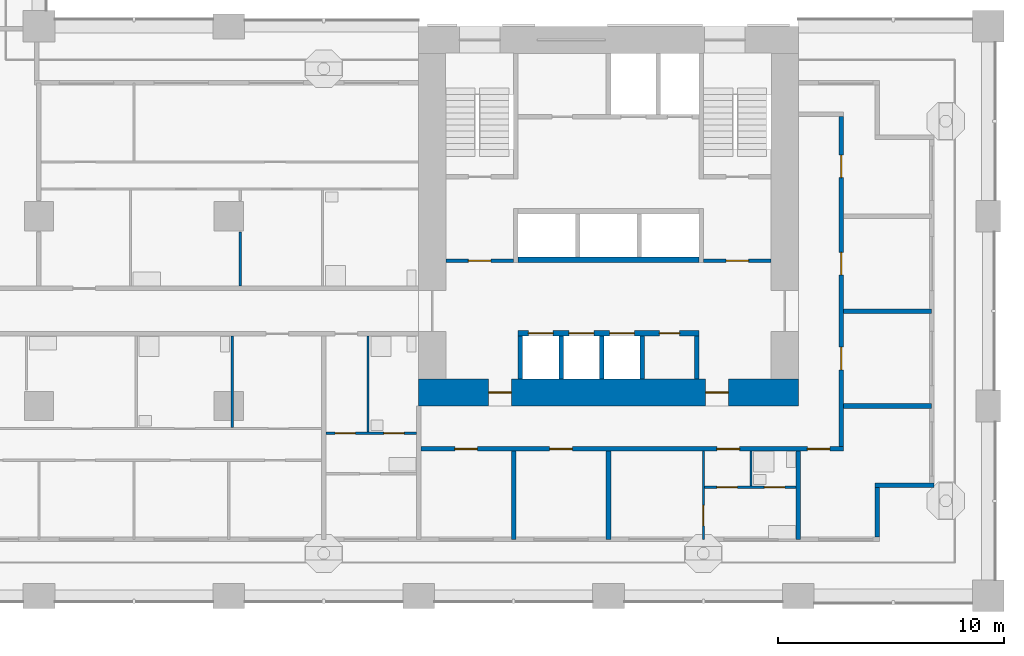
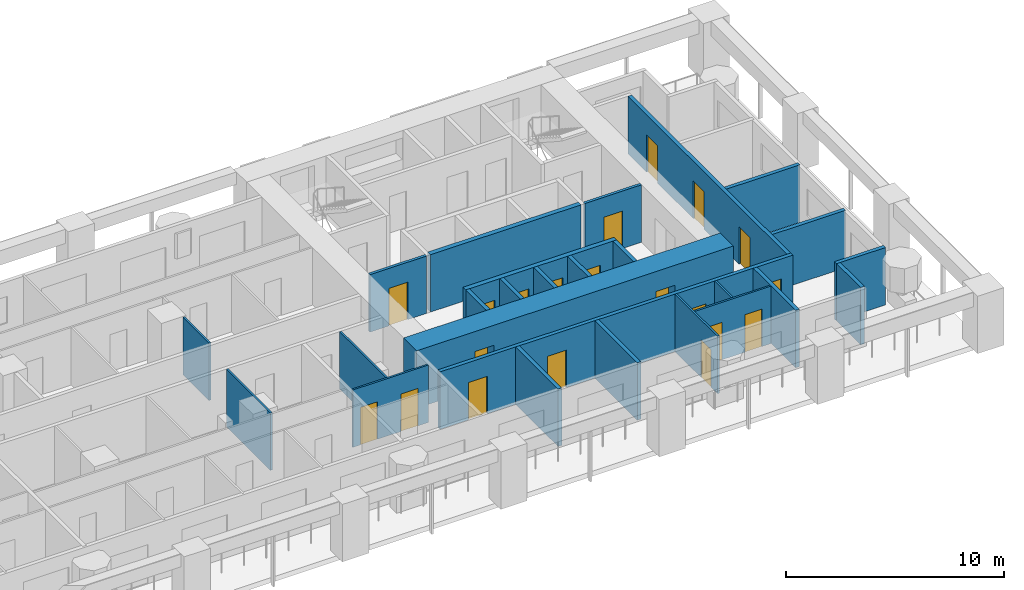
# One storey, part 5 of 19: 26 walls, 20 doors, 20 openings.
"""IFC4 building model written with IfcOpenShell, lengths in metres."""

from ifc_helpers import new_model, si_unit, direction, frame, frame_2d, origin, place, context, subcontext, project, spatial, rectangle, extrude, material, layer, layer_set, type_object, element, fill, save


model = new_model("IFC4")

# Units and contexts
model_context = context("Model", 3, precision=1e-05, world=origin(), true_north=direction((0.0, 1.0)))
body_context = subcontext(model_context, "Body", "Model", "MODEL_VIEW")
ifc_project = project(units=[si_unit("LENGTHUNIT", "METRE"), si_unit("AREAUNIT", "SQUARE_METRE"), si_unit("VOLUMEUNIT", "CUBIC_METRE"), si_unit("PLANEANGLEUNIT", "RADIAN"), si_unit("MASSUNIT", "GRAM", prefix="KILO")], contexts=[model_context])

# Site, building, storey
site_placement = place(None, origin())
site = spatial("IfcSite", under=ifc_project, at=site_placement, CompositionType="ELEMENT")
building_placement = place(site_placement, origin())
building = spatial("IfcBuilding", under=site, at=building_placement, Name="Vermilion Gate Residences", CompositionType="ELEMENT")
storey_placement = place(building_placement, frame((0.0, 0.0, 32.199951171875)))
storey = spatial("IfcBuildingStorey", under=building, at=storey_placement, Name="L06", CompositionType="ELEMENT", Elevation=32.199951171875)

# Wall, opening, door
ifc_material_1 = material(Name="Masonry blockwork", Category="masonry")
ifc_layer_1 = layer(ifc_material_1, 0.14990234375)
ifc_layer_set_1 = layer_set([ifc_layer_1], Name="BLOCKWORK PARTITION 150 EI 120")
wall_type_1 = type_object("IfcWallType", Name="BLOCKWORK PARTITION 150 EI 120", PredefinedType="PARTITIONING", material=ifc_layer_set_1)
wall_1_placement = place(storey_placement, frame((43.199951171875, 14.824951171875, 0.0), z_axis=(0.0, 0.0, 1.0), x_axis=(1.0, 0.0, 0.0)))
wall_1 = element("IfcWall", 1, at=wall_1_placement, inside=storey, type_object=wall_type_1, Name="Core room partition A06-VW-S", PredefinedType="PARTITIONING", context=body_context, shape_type="SweptSolid", body=[
    extrude(rectangle(XDim=3.0, YDim=0.14990234375, at=frame_2d((1.5, 0.0))), origin(), (0.0, 0.0, 1.0), 3.219970703125),
])
opening_1_placement = place(wall_1_placement, frame((1.0, 0.0, 0.0)))
opening_1 = element("IfcOpeningElement", 2, at=opening_1_placement, cuts=wall_1, Name="Opening DK06012", PredefinedType="OPENING", context=body_context, shape_type="SweptSolid", body=[
    extrude(rectangle(XDim=1.0, YDim=2.10009765625, at=frame_2d((0.5, 1.050048828125))), frame((0.0, 0.0849609375, 0.0), z_axis=(0.0, -1.0, 0.0), x_axis=(1.0, 0.0, 0.0)), (0.0, 0.0, 1.0), 0.169921875),
])
ifc_material_2 = material(Name="Steel", Category="steel")
door_type_1 = type_object("IfcDoorType", Name="FIRE DOOR FD60 1000 X 2100", OperationType="SINGLE_SWING_LEFT", PredefinedType="DOOR", material=ifc_material_2)
door_1_placement = place(opening_1_placement, frame((1.0, 0.0, 0.0), z_axis=(0.0, 0.0, 1.0), x_axis=(-1.0, 0.0, 0.0)))
door_1 = element("IfcDoor", 3, at=door_1_placement, inside=storey, type_object=door_type_1, Name="Stair vestibule door A06", OperationType="SINGLE_SWING_RIGHT", OverallHeight=2.10009765625, OverallWidth=1.0, PredefinedType="DOOR", context=body_context, shape_type="SweptSolid", body=[
    extrude(rectangle(XDim=1.0, YDim=2.10009765625, at=frame_2d((0.5, 1.050048828125))), frame((0.0, 0.02490234375, 0.0), z_axis=(0.0, -1.0, 0.0), x_axis=(1.0, 0.0, 0.0)), (0.0, 0.0, 1.0), 0.050048828125),
])
fill(opening_1, door_1)

wall_2_placement = place(storey_placement, frame((54.60009765625, 14.824951171875, 0.0), z_axis=(0.0, 0.0, 1.0), x_axis=(1.0, 0.0, 0.0)))
wall_2 = element("IfcWall", 4, at=wall_2_placement, inside=storey, type_object=wall_type_1, Name="Core room partition A06-VE-S", PredefinedType="PARTITIONING", context=body_context, shape_type="SweptSolid", body=[
    extrude(rectangle(XDim=3.0, YDim=0.14990234375, at=frame_2d((1.5, 0.0))), origin(), (0.0, 0.0, 1.0), 3.219970703125),
])
opening_2_placement = place(wall_2_placement, frame((1.0, 0.0, 0.0)))
opening_2 = element("IfcOpeningElement", 5, at=opening_2_placement, cuts=wall_2, Name="Opening DK06014", PredefinedType="OPENING", context=body_context, shape_type="SweptSolid", body=[
    extrude(rectangle(XDim=1.0, YDim=2.10009765625, at=frame_2d((0.5, 1.050048828125))), frame((0.0, 0.0849609375, 0.0), z_axis=(0.0, -1.0, 0.0), x_axis=(1.0, 0.0, 0.0)), (0.0, 0.0, 1.0), 0.169921875),
])
door_2_placement = place(opening_2_placement, frame((1.0, 0.0, 0.0), z_axis=(0.0, 0.0, 1.0), x_axis=(-1.0, 0.0, 0.0)))
door_2 = element("IfcDoor", 6, at=door_2_placement, inside=storey, type_object=door_type_1, Name="Stair vestibule door A06", OperationType="SINGLE_SWING_LEFT", OverallHeight=2.10009765625, OverallWidth=1.0, PredefinedType="DOOR", context=body_context, shape_type="SweptSolid", body=[
    extrude(rectangle(XDim=1.0, YDim=2.10009765625, at=frame_2d((0.5, 1.050048828125))), frame((0.0, 0.02490234375, 0.0), z_axis=(0.0, -1.0, 0.0), x_axis=(1.0, 0.0, 0.0)), (0.0, 0.0, 1.0), 0.050048828125),
])
fill(opening_2, door_2)

# Walls
ifc_material_3 = material(Name="Insulated steel stud wall with terracotta rainscreen", Category="masonry")
ifc_layer_2 = layer(ifc_material_3, 0.199951171875)
ifc_layer_set_2 = layer_set([ifc_layer_2], Name="EXTERNAL WALL 200 TERRACOTTA RAINSCREEN")
wall_type_2 = type_object("IfcWallType", Name="EXTERNAL WALL 200 TERRACOTTA RAINSCREEN", PredefinedType="SOLIDWALL", material=ifc_layer_set_2)
wall_3_placement = place(storey_placement, frame((62.300048828125, 2.60009765625, 0.0), z_axis=(0.0, 0.0, 1.0), x_axis=(0.0, 1.0, 0.0)))
element("IfcWall", 7, at=wall_3_placement, inside=storey, type_object=wall_type_2, Name="External wall", PredefinedType="SOLIDWALL", context=body_context, shape_type="SweptSolid", body=[
    extrude(rectangle(XDim=2.199951171875, YDim=0.199951171875, at=frame_2d((1.10009765625, 0.0))), origin(), (0.0, 0.0, 1.0), 3.219970703125),
])
wall_4_placement = place(storey_placement, frame((62.199951171875, 4.89990234375, 0.0), z_axis=(0.0, 0.0, 1.0), x_axis=(1.0, 0.0, 0.0)))
element("IfcWall", 8, at=wall_4_placement, inside=storey, type_object=wall_type_2, Name="External wall", PredefinedType="SOLIDWALL", context=body_context, shape_type="SweptSolid", body=[
    extrude(rectangle(XDim=2.60009765625, YDim=0.199951171875, at=frame_2d((1.300048828125, 0.0))), origin(), (0.0, 0.0, 1.0), 3.219970703125),
])

# Wall, openings, doors
ifc_material_4 = material(Name="Plasterboard on steel studs", Category="steel")
ifc_layer_3 = layer(ifc_material_4, 0.10009765625)
ifc_layer_set_3 = layer_set([ifc_layer_3], Name="PARTITION 100")
wall_type_3 = type_object("IfcWallType", Name="PARTITION 100", PredefinedType="PARTITIONING", material=ifc_layer_set_3)
wall_5_placement = place(storey_placement, frame((54.64990234375, 4.800048828125, 0.0), z_axis=(0.0, 0.0, 1.0), x_axis=(1.0, 0.0, 0.0)))
wall_5 = element("IfcWall", 9, at=wall_5_placement, inside=storey, type_object=wall_type_3, Name="Partition", PredefinedType="PARTITIONING", context=body_context, shape_type="SweptSolid", body=[
    extrude(rectangle(XDim=4.050048828125, YDim=0.10009765625, at=frame_2d((2.02490234375, 0.0))), origin(), (0.0, 0.0, 1.0), 3.219970703125),
])
opening_3_placement = place(wall_5_placement, frame((0.550048828125, 0.0, 0.0)))
opening_3 = element("IfcOpeningElement", 10, at=opening_3_placement, cuts=wall_5, Name="Opening DA04001", PredefinedType="OPENING", context=body_context, shape_type="SweptSolid", body=[
    extrude(rectangle(XDim=0.89990234375, YDim=2.10009765625, at=frame_2d((0.449951171875, 1.050048828125))), frame((0.0, 0.06005859375, 0.0), z_axis=(0.0, -1.0, 0.0), x_axis=(1.0, 0.0, 0.0)), (0.0, 0.0, 1.0), 0.1201171875),
])
opening_4_placement = place(wall_5_placement, frame((2.64990234375, 0.0, 0.0)))
opening_4 = element("IfcOpeningElement", 11, at=opening_4_placement, cuts=wall_5, Name="Opening DA04002", PredefinedType="OPENING", context=body_context, shape_type="SweptSolid", body=[
    extrude(rectangle(XDim=0.89990234375, YDim=2.10009765625, at=frame_2d((0.449951171875, 1.050048828125))), frame((0.0, 0.06005859375, 0.0), z_axis=(0.0, -1.0, 0.0), x_axis=(1.0, 0.0, 0.0)), (0.0, 0.0, 1.0), 0.1201171875),
])
ifc_material_5 = material(Name="Timber", Category="wood")
door_type_2 = type_object("IfcDoorType", Name="INTERIOR DOOR 900 X 2100", OperationType="SINGLE_SWING_LEFT", PredefinedType="DOOR", material=ifc_material_5)
door_3_placement = place(opening_3_placement, frame((0.89990234375, 0.0, 0.0), z_axis=(0.0, 0.0, 1.0), x_axis=(-1.0, 0.0, 0.0)))
door_3 = element("IfcDoor", 12, at=door_3_placement, inside=storey, type_object=door_type_2, Name="Interior door", OperationType="SINGLE_SWING_RIGHT", OverallHeight=2.10009765625, OverallWidth=0.89990234375, PredefinedType="DOOR", context=body_context, shape_type="SweptSolid", body=[
    extrude(rectangle(XDim=0.89990234375, YDim=2.10009765625, at=frame_2d((0.449951171875, 1.050048828125))), frame((0.0, 0.02490234375, 0.0), z_axis=(0.0, -1.0, 0.0), x_axis=(1.0, 0.0, 0.0)), (0.0, 0.0, 1.0), 0.050048828125),
])
fill(opening_3, door_3)
door_4_placement = place(opening_4_placement, origin())
door_4 = element("IfcDoor", 13, at=door_4_placement, inside=storey, type_object=door_type_2, Name="Interior door", OperationType="SINGLE_SWING_RIGHT", OverallHeight=2.10009765625, OverallWidth=0.89990234375, PredefinedType="DOOR", context=body_context, shape_type="SweptSolid", body=[
    extrude(rectangle(XDim=0.89990234375, YDim=2.10009765625, at=frame_2d((0.449951171875, 1.050048828125))), frame((0.0, 0.02490234375, 0.0), z_axis=(0.0, -1.0, 0.0), x_axis=(1.0, 0.0, 0.0)), (0.0, 0.0, 1.0), 0.050048828125),
])
fill(opening_4, door_4)

wall_6_placement = place(storey_placement, frame((37.89990234375, 7.199951171875, 0.0), z_axis=(0.0, 0.0, 1.0), x_axis=(1.0, 0.0, 0.0)))
wall_6 = element("IfcWall", 14, at=wall_6_placement, inside=storey, type_object=wall_type_3, Name="Partition", PredefinedType="PARTITIONING", context=body_context, shape_type="SweptSolid", body=[
    extrude(rectangle(XDim=4.0, YDim=0.10009765625, at=frame_2d((2.0, 0.0))), origin(), (0.0, 0.0, 1.0), 3.219970703125),
])
opening_5_placement = place(wall_6_placement, frame((0.39990234375, 0.0, 0.0)))
opening_5 = element("IfcOpeningElement", 15, at=opening_5_placement, cuts=wall_6, Name="Opening DA04013", PredefinedType="OPENING", context=body_context, shape_type="SweptSolid", body=[
    extrude(rectangle(XDim=0.89990234375, YDim=2.10009765625, at=frame_2d((0.449951171875, 1.050048828125))), frame((0.0, 0.06005859375, 0.0), z_axis=(0.0, -1.0, 0.0), x_axis=(1.0, 0.0, 0.0)), (0.0, 0.0, 1.0), 0.1201171875),
])
opening_6_placement = place(wall_6_placement, frame((2.56005859375, 0.0, 0.0)))
opening_6 = element("IfcOpeningElement", 16, at=opening_6_placement, cuts=wall_6, Name="Opening DA04014", PredefinedType="OPENING", context=body_context, shape_type="SweptSolid", body=[
    extrude(rectangle(XDim=0.89990234375, YDim=2.10009765625, at=frame_2d((0.449951171875, 1.050048828125))), frame((0.0, 0.06005859375, 0.0), z_axis=(0.0, -1.0, 0.0), x_axis=(1.0, 0.0, 0.0)), (0.0, 0.0, 1.0), 0.1201171875),
])
door_5_placement = place(opening_5_placement, frame((0.89990234375, 0.0, 0.0), z_axis=(0.0, 0.0, 1.0), x_axis=(-1.0, 0.0, 0.0)))
door_5 = element("IfcDoor", 17, at=door_5_placement, inside=storey, type_object=door_type_2, Name="Interior door", OperationType="SINGLE_SWING_RIGHT", OverallHeight=2.10009765625, OverallWidth=0.89990234375, PredefinedType="DOOR", context=body_context, shape_type="SweptSolid", body=[
    extrude(rectangle(XDim=0.89990234375, YDim=2.10009765625, at=frame_2d((0.449951171875, 1.050048828125))), frame((0.0, 0.02490234375, 0.0), z_axis=(0.0, -1.0, 0.0), x_axis=(1.0, 0.0, 0.0)), (0.0, 0.0, 1.0), 0.050048828125),
])
fill(opening_5, door_5)
door_6_placement = place(opening_6_placement, frame((0.89990234375, 0.0, 0.0), z_axis=(0.0, 0.0, 1.0), x_axis=(-1.0, 0.0, 0.0)))
door_6 = element("IfcDoor", 18, at=door_6_placement, inside=storey, type_object=door_type_2, Name="Interior door", OperationType="SINGLE_SWING_LEFT", OverallHeight=2.10009765625, OverallWidth=0.89990234375, PredefinedType="DOOR", context=body_context, shape_type="SweptSolid", body=[
    extrude(rectangle(XDim=0.89990234375, YDim=2.10009765625, at=frame_2d((0.449951171875, 1.050048828125))), frame((0.0, 0.02490234375, 0.0), z_axis=(0.0, -1.0, 0.0), x_axis=(1.0, 0.0, 0.0)), (0.0, 0.0, 1.0), 0.050048828125),
])
fill(opening_6, door_6)

# Walls
wall_7_placement = place(storey_placement, frame((33.75, 7.449951171875, 0.0), z_axis=(0.0, 0.0, 1.0), x_axis=(0.0, 1.0, 0.0)))
element("IfcWall", 19, at=wall_7_placement, inside=storey, type_object=wall_type_3, Name="Partition", PredefinedType="PARTITIONING", context=body_context, shape_type="SweptSolid", body=[
    extrude(rectangle(XDim=4.050048828125, YDim=0.10009765625, at=frame_2d((2.02490234375, 0.0))), origin(), (0.0, 0.0, 1.0), 3.219970703125),
])
wall_8_placement = place(storey_placement, frame((34.10009765625, 13.699951171875, 0.0), z_axis=(0.0, 0.0, 1.0), x_axis=(0.0, 1.0, 0.0)))
element("IfcWall", 20, at=wall_8_placement, inside=storey, type_object=wall_type_3, Name="Partition", PredefinedType="PARTITIONING", context=body_context, shape_type="SweptSolid", body=[
    extrude(rectangle(XDim=2.400146484375, YDim=0.10009765625, at=frame_2d((1.2001953125, 0.0))), origin(), (0.0, 0.0, 1.0), 3.219970703125),
])
wall_9_placement = place(storey_placement, frame((39.760009765625, 7.25, 0.0), z_axis=(0.0, 0.0, 1.0), x_axis=(0.0, 1.0, 0.0)))
element("IfcWall", 21, at=wall_9_placement, inside=storey, type_object=wall_type_3, Name="Partition", PredefinedType="PARTITIONING", context=body_context, shape_type="SweptSolid", body=[
    extrude(rectangle(XDim=4.25, YDim=0.10009765625, at=frame_2d((2.125, 0.0))), origin(), (0.0, 0.0, 1.0), 3.219970703125),
])

# Wall, opening, door
wall_10_placement = place(storey_placement, frame((54.60009765625, 2.5, 0.0), z_axis=(0.0, 0.0, 1.0), x_axis=(0.0, 1.0, 0.0)))
wall_10 = element("IfcWall", 22, at=wall_10_placement, inside=storey, type_object=wall_type_3, Name="Partition", PredefinedType="PARTITIONING", context=body_context, shape_type="SweptSolid", body=[
    extrude(rectangle(XDim=3.89990234375, YDim=0.10009765625, at=frame_2d((1.949951171875, 0.0))), origin(), (0.0, 0.0, 1.0), 3.219970703125),
])
opening_7_placement = place(wall_10_placement, frame((0.60009765625, 0.0, 0.0)))
opening_7 = element("IfcOpeningElement", 23, at=opening_7_placement, cuts=wall_10, Name="Opening DA04065", PredefinedType="OPENING", context=body_context, shape_type="SweptSolid", body=[
    extrude(rectangle(XDim=0.89990234375, YDim=2.10009765625, at=frame_2d((0.449951171875, 1.050048828125))), frame((0.0, 0.06005859375, 0.0), z_axis=(0.0, -1.0, 0.0), x_axis=(1.0, 0.0, 0.0)), (0.0, 0.0, 1.0), 0.1201171875),
])
door_7_placement = place(opening_7_placement, frame((0.89990234375, 0.0, 0.0), z_axis=(0.0, 0.0, 1.0), x_axis=(-1.0, 0.0, 0.0)))
door_7 = element("IfcDoor", 24, at=door_7_placement, inside=storey, type_object=door_type_2, Name="Interior door", OperationType="SINGLE_SWING_RIGHT", OverallHeight=2.10009765625, OverallWidth=0.89990234375, PredefinedType="DOOR", context=body_context, shape_type="SweptSolid", body=[
    extrude(rectangle(XDim=0.89990234375, YDim=2.10009765625, at=frame_2d((0.449951171875, 1.050048828125))), frame((0.0, 0.02490234375, 0.0), z_axis=(0.0, -1.0, 0.0), x_axis=(1.0, 0.0, 0.0)), (0.0, 0.0, 1.0), 0.050048828125),
])
fill(opening_7, door_7)

# Wall
wall_11_placement = place(storey_placement, frame((56.699951171875, 4.85009765625, 0.0), z_axis=(0.0, 0.0, 1.0), x_axis=(0.0, 1.0, 0.0)))
element("IfcWall", 25, at=wall_11_placement, inside=storey, type_object=wall_type_3, Name="Partition", PredefinedType="PARTITIONING", context=body_context, shape_type="SweptSolid", body=[
    extrude(rectangle(XDim=1.5498046875, YDim=0.10009765625, at=frame_2d((0.77490234375, 0.0))), origin(), (0.0, 0.0, 1.0), 3.219970703125),
])

# Wall, openings, doors
ifc_material_6 = material(Name="Fire-rated plasterboard on steel studs", Category="steel")
ifc_layer_4 = layer(ifc_material_6, 0.199951171875)
ifc_layer_set_4 = layer_set([ifc_layer_4], Name="PARTY WALL 200 EI 120")
wall_type_4 = type_object("IfcWallType", Name="PARTY WALL 200 EI 120", PredefinedType="PARTITIONING", material=ifc_layer_set_4)
wall_12_placement = place(storey_placement, frame((42.10009765625, 6.5, 0.0), z_axis=(0.0, 0.0, 1.0), x_axis=(1.0, 0.0, 0.0)))
wall_12 = element("IfcWall", 26, at=wall_12_placement, inside=storey, type_object=wall_type_4, Name="Party and corridor wall", PredefinedType="PARTITIONING", context=body_context, shape_type="SweptSolid", body=[
    extrude(rectangle(XDim=18.699951171875, YDim=0.199951171875, at=frame_2d((9.35009765625, 0.0))), origin(), (0.0, 0.0, 1.0), 3.219970703125),
])
opening_8_placement = place(wall_12_placement, frame((1.5, 0.0, 0.0)))
opening_8 = element("IfcOpeningElement", 27, at=opening_8_placement, cuts=wall_12, Name="Opening DA04009", PredefinedType="OPENING", context=body_context, shape_type="SweptSolid", body=[
    extrude(rectangle(XDim=1.0, YDim=2.10009765625, at=frame_2d((0.5, 1.050048828125))), frame((0.0, 0.10986328125, 0.0), z_axis=(0.0, -1.0, 0.0), x_axis=(1.0, 0.0, 0.0)), (0.0, 0.0, 1.0), 0.219970703125),
])
opening_9_placement = place(wall_12_placement, frame((5.699951171875, 0.0, 0.0)))
opening_9 = element("IfcOpeningElement", 28, at=opening_9_placement, cuts=wall_12, Name="Opening DA04010", PredefinedType="OPENING", context=body_context, shape_type="SweptSolid", body=[
    extrude(rectangle(XDim=1.0, YDim=2.10009765625, at=frame_2d((0.5, 1.050048828125))), frame((0.0, 0.10986328125, 0.0), z_axis=(0.0, -1.0, 0.0), x_axis=(1.0, 0.0, 0.0)), (0.0, 0.0, 1.0), 0.219970703125),
])
opening_10_placement = place(wall_12_placement, frame((13.10009765625, 0.0, 0.0)))
opening_10 = element("IfcOpeningElement", 29, at=opening_10_placement, cuts=wall_12, Name="Opening DA04011", PredefinedType="OPENING", context=body_context, shape_type="SweptSolid", body=[
    extrude(rectangle(XDim=1.0, YDim=2.10009765625, at=frame_2d((0.5, 1.050048828125))), frame((0.0, 0.10986328125, 0.0), z_axis=(0.0, -1.0, 0.0), x_axis=(1.0, 0.0, 0.0)), (0.0, 0.0, 1.0), 0.219970703125),
])
opening_11_placement = place(wall_12_placement, frame((17.10009765625, 0.0, 0.0)))
opening_11 = element("IfcOpeningElement", 30, at=opening_11_placement, cuts=wall_12, Name="Opening DA04012", PredefinedType="OPENING", context=body_context, shape_type="SweptSolid", body=[
    extrude(rectangle(XDim=1.0, YDim=2.10009765625, at=frame_2d((0.5, 1.050048828125))), frame((0.0, 0.10986328125, 0.0), z_axis=(0.0, -1.0, 0.0), x_axis=(1.0, 0.0, 0.0)), (0.0, 0.0, 1.0), 0.219970703125),
])
ifc_material_7 = material(Name="Steel", Category="steel")
door_type_3 = type_object("IfcDoorType", Name="ENTRANCE DOOR 1000 X 2100 FD30", OperationType="SINGLE_SWING_LEFT", PredefinedType="DOOR", material=ifc_material_7)
door_8_placement = place(opening_8_placement, frame((1.0, 0.0, 0.0), z_axis=(0.0, 0.0, 1.0), x_axis=(-1.0, 0.0, 0.0)))
door_8 = element("IfcDoor", 31, at=door_8_placement, inside=storey, type_object=door_type_3, Name="Entrance door", OperationType="SINGLE_SWING_RIGHT", OverallHeight=2.10009765625, OverallWidth=1.0, PredefinedType="DOOR", context=body_context, shape_type="SweptSolid", body=[
    extrude(rectangle(XDim=1.0, YDim=2.10009765625, at=frame_2d((0.5, 1.050048828125))), frame((0.0, 0.02490234375, 0.0), z_axis=(0.0, -1.0, 0.0), x_axis=(1.0, 0.0, 0.0)), (0.0, 0.0, 1.0), 0.050048828125),
])
fill(opening_8, door_8)
door_9_placement = place(opening_9_placement, frame((1.0, 0.0, 0.0), z_axis=(0.0, 0.0, 1.0), x_axis=(-1.0, 0.0, 0.0)))
door_9 = element("IfcDoor", 32, at=door_9_placement, inside=storey, type_object=door_type_3, Name="Entrance door", OperationType="SINGLE_SWING_LEFT", OverallHeight=2.10009765625, OverallWidth=1.0, PredefinedType="DOOR", context=body_context, shape_type="SweptSolid", body=[
    extrude(rectangle(XDim=1.0, YDim=2.10009765625, at=frame_2d((0.5, 1.050048828125))), frame((0.0, 0.02490234375, 0.0), z_axis=(0.0, -1.0, 0.0), x_axis=(1.0, 0.0, 0.0)), (0.0, 0.0, 1.0), 0.050048828125),
])
fill(opening_9, door_9)
door_10_placement = place(opening_10_placement, frame((1.0, 0.0, 0.0), z_axis=(0.0, 0.0, 1.0), x_axis=(-1.0, 0.0, 0.0)))
door_10 = element("IfcDoor", 33, at=door_10_placement, inside=storey, type_object=door_type_3, Name="Entrance door", OperationType="SINGLE_SWING_LEFT", OverallHeight=2.10009765625, OverallWidth=1.0, PredefinedType="DOOR", context=body_context, shape_type="SweptSolid", body=[
    extrude(rectangle(XDim=1.0, YDim=2.10009765625, at=frame_2d((0.5, 1.050048828125))), frame((0.0, 0.02490234375, 0.0), z_axis=(0.0, -1.0, 0.0), x_axis=(1.0, 0.0, 0.0)), (0.0, 0.0, 1.0), 0.050048828125),
])
fill(opening_10, door_10)
door_11_placement = place(opening_11_placement, frame((1.0, 0.0, 0.0), z_axis=(0.0, 0.0, 1.0), x_axis=(-1.0, 0.0, 0.0)))
door_11 = element("IfcDoor", 34, at=door_11_placement, inside=storey, type_object=door_type_3, Name="Entrance door", OperationType="SINGLE_SWING_RIGHT", OverallHeight=2.10009765625, OverallWidth=1.0, PredefinedType="DOOR", context=body_context, shape_type="SweptSolid", body=[
    extrude(rectangle(XDim=1.0, YDim=2.10009765625, at=frame_2d((0.5, 1.050048828125))), frame((0.0, 0.02490234375, 0.0), z_axis=(0.0, -1.0, 0.0), x_axis=(1.0, 0.0, 0.0)), (0.0, 0.0, 1.0), 0.050048828125),
])
fill(opening_11, door_11)

# Walls
for number, where, z_axis, x_axis, name in (
    (35, (60.800048828125, 8.39990234375, 0.0), (0.0, 0.0, 1.0), (1.0, 0.0, 0.0), "Party and corridor wall"),
    (36, (60.800048828125, 12.60009765625, 0.0), (0.0, 0.0, 1.0), (1.0, 0.0, 0.0), "Party and corridor wall"),
    (37, (46.199951171875, 2.5, 0.0), (0.0, 0.0, 1.0), (0.0, 1.0, 0.0), "Party and corridor wall"),
    (38, (50.39990234375, 2.5, 0.0), (0.0, 0.0, 1.0), (0.0, 1.0, 0.0), "Party and corridor wall"),
    (39, (58.800048828125, 2.5, 0.0), (0.0, 0.0, 1.0), (0.0, 1.0, 0.0), "Party and corridor wall"),
):
    element("IfcWall", number, at=place(storey_placement, frame(where, z_axis=z_axis, x_axis=x_axis)), inside=storey, type_object=wall_type_4, Name=name, PredefinedType="PARTITIONING", context=body_context, shape_type="SweptSolid", body=[
        extrude(rectangle(XDim=3.89990234375, YDim=0.199951171875, at=frame_2d((1.949951171875, 0.0))), origin(), (0.0, 0.0, 1.0), 3.219970703125),
    ])

# Wall, openings, doors
wall_13_placement = place(storey_placement, frame((60.699951171875, 6.60009765625, 0.0), z_axis=(0.0, 0.0, 1.0), x_axis=(0.0, 1.0, 0.0)))
wall_13 = element("IfcWall", 40, at=wall_13_placement, inside=storey, type_object=wall_type_4, Name="Party and corridor wall", PredefinedType="PARTITIONING", context=body_context, shape_type="SweptSolid", body=[
    extrude(rectangle(XDim=14.599853515625, YDim=0.199951171875, at=frame_2d((7.2998046875, 0.0))), origin(), (0.0, 0.0, 1.0), 3.219970703125),
])
opening_12_placement = place(wall_13_placement, frame((3.39990234375, 0.0, 0.0)))
opening_12 = element("IfcOpeningElement", 41, at=opening_12_placement, cuts=wall_13, Name="Opening DA04066", PredefinedType="OPENING", context=body_context, shape_type="SweptSolid", body=[
    extrude(rectangle(XDim=1.0, YDim=2.10009765625, at=frame_2d((0.5, 1.050048828125))), frame((0.0, 0.10986328125, 0.0), z_axis=(0.0, -1.0, 0.0), x_axis=(1.0, 0.0, 0.0)), (0.0, 0.0, 1.0), 0.219970703125),
])
opening_13_placement = place(wall_13_placement, frame((7.60009765625, 0.0, 0.0)))
opening_13 = element("IfcOpeningElement", 42, at=opening_13_placement, cuts=wall_13, Name="Opening DA04067", PredefinedType="OPENING", context=body_context, shape_type="SweptSolid", body=[
    extrude(rectangle(XDim=1.0, YDim=2.10009765625, at=frame_2d((0.5, 1.050048828125))), frame((0.0, 0.10986328125, 0.0), z_axis=(0.0, -1.0, 0.0), x_axis=(1.0, 0.0, 0.0)), (0.0, 0.0, 1.0), 0.219970703125),
])
opening_14_placement = place(wall_13_placement, frame((11.89990234375, 0.0, 0.0)))
opening_14 = element("IfcOpeningElement", 43, at=opening_14_placement, cuts=wall_13, Name="Opening DA04068", PredefinedType="OPENING", context=body_context, shape_type="SweptSolid", body=[
    extrude(rectangle(XDim=1.0, YDim=2.10009765625, at=frame_2d((0.5, 1.050048828125))), frame((0.0, 0.10986328125, 0.0), z_axis=(0.0, -1.0, 0.0), x_axis=(1.0, 0.0, 0.0)), (0.0, 0.0, 1.0), 0.219970703125),
])
door_12_placement = place(opening_12_placement, frame((1.0, 0.0, 0.0), z_axis=(0.0, 0.0, 1.0), x_axis=(-1.0, 0.0, 0.0)))
door_12 = element("IfcDoor", 44, at=door_12_placement, inside=storey, type_object=door_type_3, Name="Entrance door", OperationType="SINGLE_SWING_RIGHT", OverallHeight=2.10009765625, OverallWidth=1.0, PredefinedType="DOOR", context=body_context, shape_type="SweptSolid", body=[
    extrude(rectangle(XDim=1.0, YDim=2.10009765625, at=frame_2d((0.5, 1.050048828125))), frame((0.0, 0.02490234375, 0.0), z_axis=(0.0, -1.0, 0.0), x_axis=(1.0, 0.0, 0.0)), (0.0, 0.0, 1.0), 0.050048828125),
])
fill(opening_12, door_12)
door_13_placement = place(opening_13_placement, frame((1.0, 0.0, 0.0), z_axis=(0.0, 0.0, 1.0), x_axis=(-1.0, 0.0, 0.0)))
door_13 = element("IfcDoor", 45, at=door_13_placement, inside=storey, type_object=door_type_3, Name="Entrance door", OperationType="SINGLE_SWING_RIGHT", OverallHeight=2.10009765625, OverallWidth=1.0, PredefinedType="DOOR", context=body_context, shape_type="SweptSolid", body=[
    extrude(rectangle(XDim=1.0, YDim=2.10009765625, at=frame_2d((0.5, 1.050048828125))), frame((0.0, 0.02490234375, 0.0), z_axis=(0.0, -1.0, 0.0), x_axis=(1.0, 0.0, 0.0)), (0.0, 0.0, 1.0), 0.050048828125),
])
fill(opening_13, door_13)
door_14_placement = place(opening_14_placement, frame((1.0, 0.0, 0.0), z_axis=(0.0, 0.0, 1.0), x_axis=(-1.0, 0.0, 0.0)))
door_14 = element("IfcDoor", 46, at=door_14_placement, inside=storey, type_object=door_type_3, Name="Entrance door", OperationType="SINGLE_SWING_RIGHT", OverallHeight=2.10009765625, OverallWidth=1.0, PredefinedType="DOOR", context=body_context, shape_type="SweptSolid", body=[
    extrude(rectangle(XDim=1.0, YDim=2.10009765625, at=frame_2d((0.5, 1.050048828125))), frame((0.0, 0.02490234375, 0.0), z_axis=(0.0, -1.0, 0.0), x_axis=(1.0, 0.0, 0.0)), (0.0, 0.0, 1.0), 0.050048828125),
])
fill(opening_14, door_14)

# Walls
ifc_material_8 = material(Name="Concrete C60", Category="concrete")
ifc_layer_5 = layer(ifc_material_8, 0.199951171875)
ifc_layer_set_5 = layer_set([ifc_layer_5], Name="RC CORE INTERNAL WALL 200 C60")
wall_type_5 = type_object("IfcWallType", Name="RC CORE INTERNAL WALL 200 C60", PredefinedType="SHEAR", material=ifc_layer_set_5)
for number, where, z_axis, x_axis, name in (
    (47, (46.5, 9.60009765625, 0.0), (0.0, 0.0, 1.0), (0.0, 1.0, 0.0), "Core internal wall A06-LR-D0"),
    (48, (48.300048828125, 9.60009765625, 0.0), (0.0, 0.0, 1.0), (0.0, 1.0, 0.0), "Core internal wall A06-LR-D1"),
    (49, (50.10009765625, 9.60009765625, 0.0), (0.0, 0.0, 1.0), (0.0, 1.0, 0.0), "Core internal wall A06-LR-D2"),
    (50, (51.89990234375, 9.60009765625, 0.0), (0.0, 0.0, 1.0), (0.0, 1.0, 0.0), "Core internal wall A06-LR-D3"),
    (51, (54.300048828125, 9.60009765625, 0.0), (0.0, 0.0, 1.0), (0.0, 1.0, 0.0), "Core internal wall A06-LR-DE"),
):
    element("IfcWall", number, at=place(storey_placement, frame(where, z_axis=z_axis, x_axis=x_axis)), inside=storey, type_object=wall_type_5, Name=name, PredefinedType="SHEAR", context=body_context, shape_type="SweptSolid", body=[
        extrude(rectangle(XDim=1.89990234375, YDim=0.199951171875, at=frame_2d((0.949951171875, 0.0))), origin(), (0.0, 0.0, 1.0), 3.219970703125),
    ])

# Wall, openings, doors
ifc_material_9 = material(Name="Concrete C80", Category="concrete")
ifc_layer_6 = layer(ifc_material_9, 1.199951171875)
ifc_layer_set_6 = layer_set([ifc_layer_6], Name="RC CORE WALL 1200 C80")
wall_type_6 = type_object("IfcWallType", Name="RC CORE WALL 1200 C80", PredefinedType="SHEAR", material=ifc_layer_set_6)
wall_14_placement = place(storey_placement, frame((42.0, 9.0, 0.0), z_axis=(0.0, 0.0, 1.0), x_axis=(1.0, 0.0, 0.0)))
wall_14 = element("IfcWall", 52, at=wall_14_placement, inside=storey, type_object=wall_type_6, Name="Core wall A06-OUT-B0", PredefinedType="SHEAR", context=body_context, shape_type="SweptSolid", body=[
    extrude(rectangle(XDim=16.800048828125, YDim=1.199951171875, at=frame_2d((8.39990234375, 0.0))), origin(), (0.0, 0.0, 1.0), 3.219970703125),
])
opening_15_placement = place(wall_14_placement, frame((3.10009765625, 0.0, 0.0)))
opening_15 = element("IfcOpeningElement", 53, at=opening_15_placement, cuts=wall_14, Name="Opening DK06001", PredefinedType="OPENING", context=body_context, shape_type="SweptSolid", body=[
    extrude(rectangle(XDim=1.0, YDim=2.10009765625, at=frame_2d((0.5, 1.050048828125))), frame((0.0, 0.60986328125, 0.0), z_axis=(0.0, -1.0, 0.0), x_axis=(1.0, 0.0, 0.0)), (0.0, 0.0, 1.0), 1.219970703125),
])
opening_16_placement = place(wall_14_placement, frame((12.699951171875, 0.0, 0.0)))
opening_16 = element("IfcOpeningElement", 54, at=opening_16_placement, cuts=wall_14, Name="Opening DK06002", PredefinedType="OPENING", context=body_context, shape_type="SweptSolid", body=[
    extrude(rectangle(XDim=1.0, YDim=2.10009765625, at=frame_2d((0.5, 1.050048828125))), frame((0.0, 0.60986328125, 0.0), z_axis=(0.0, -1.0, 0.0), x_axis=(1.0, 0.0, 0.0)), (0.0, 0.0, 1.0), 1.219970703125),
])
door_15_placement = place(opening_15_placement, origin())
door_15 = element("IfcDoor", 55, at=door_15_placement, inside=storey, type_object=door_type_1, Name="Core lobby side door A06", OperationType="SINGLE_SWING_RIGHT", OverallHeight=2.10009765625, OverallWidth=1.0, PredefinedType="DOOR", context=body_context, shape_type="SweptSolid", body=[
    extrude(rectangle(XDim=1.0, YDim=2.10009765625, at=frame_2d((0.5, 1.050048828125))), frame((0.0, 0.02490234375, 0.0), z_axis=(0.0, -1.0, 0.0), x_axis=(1.0, 0.0, 0.0)), (0.0, 0.0, 1.0), 0.050048828125),
])
fill(opening_15, door_15)
door_16_placement = place(opening_16_placement, origin())
door_16 = element("IfcDoor", 56, at=door_16_placement, inside=storey, type_object=door_type_1, Name="Core lobby side door A06", OperationType="SINGLE_SWING_LEFT", OverallHeight=2.10009765625, OverallWidth=1.0, PredefinedType="DOOR", context=body_context, shape_type="SweptSolid", body=[
    extrude(rectangle(XDim=1.0, YDim=2.10009765625, at=frame_2d((0.5, 1.050048828125))), frame((0.0, 0.02490234375, 0.0), z_axis=(0.0, -1.0, 0.0), x_axis=(1.0, 0.0, 0.0)), (0.0, 0.0, 1.0), 0.050048828125),
])
fill(opening_16, door_16)

ifc_material_10 = material(Name="Concrete C60", Category="concrete")
ifc_layer_7 = layer(ifc_material_10, 0.25)
ifc_layer_set_7 = layer_set([ifc_layer_7], Name="RC LIFT SHAFT WALL 250 C60")
wall_type_7 = type_object("IfcWallType", Name="RC LIFT SHAFT WALL 250 C60", PredefinedType="SHEAR", material=ifc_layer_set_7)
wall_15_placement = place(storey_placement, frame((46.39990234375, 11.625, 0.0), z_axis=(0.0, 0.0, 1.0), x_axis=(1.0, 0.0, 0.0)))
wall_15 = element("IfcWall", 57, at=wall_15_placement, inside=storey, type_object=wall_type_7, Name="Lift shaft wall A06-LR-F", PredefinedType="SHEAR", context=body_context, shape_type="SweptSolid", body=[
    extrude(rectangle(XDim=8.0, YDim=0.25, at=frame_2d((4.0, 0.0))), origin(), (0.0, 0.0, 1.0), 3.219970703125),
])
opening_17_placement = place(wall_15_placement, frame((0.449951171875, 0.0, 0.0)))
opening_17 = element("IfcOpeningElement", 58, at=opening_17_placement, cuts=wall_15, Name="Opening LD", PredefinedType="OPENING", context=body_context, shape_type="SweptSolid", body=[
    extrude(rectangle(XDim=1.10009765625, YDim=2.10009765625, at=frame_2d((0.550048828125, 1.050048828125))), frame((0.0, 0.135009765625, 0.0), z_axis=(0.0, -1.0, 0.0), x_axis=(1.0, 0.0, 0.0)), (0.0, 0.0, 1.0), 0.27001953125),
])
opening_18_placement = place(wall_15_placement, frame((2.25, 0.0, 0.0)))
opening_18 = element("IfcOpeningElement", 59, at=opening_18_placement, cuts=wall_15, Name="Opening LD", PredefinedType="OPENING", context=body_context, shape_type="SweptSolid", body=[
    extrude(rectangle(XDim=1.10009765625, YDim=2.10009765625, at=frame_2d((0.550048828125, 1.050048828125))), frame((0.0, 0.135009765625, 0.0), z_axis=(0.0, -1.0, 0.0), x_axis=(1.0, 0.0, 0.0)), (0.0, 0.0, 1.0), 0.27001953125),
])
opening_19_placement = place(wall_15_placement, frame((4.050048828125, 0.0, 0.0)))
opening_19 = element("IfcOpeningElement", 60, at=opening_19_placement, cuts=wall_15, Name="Opening LD", PredefinedType="OPENING", context=body_context, shape_type="SweptSolid", body=[
    extrude(rectangle(XDim=1.10009765625, YDim=2.10009765625, at=frame_2d((0.550048828125, 1.050048828125))), frame((0.0, 0.135009765625, 0.0), z_axis=(0.0, -1.0, 0.0), x_axis=(1.0, 0.0, 0.0)), (0.0, 0.0, 1.0), 0.27001953125),
])
opening_20_placement = place(wall_15_placement, frame((6.25, 0.0, 0.0)))
opening_20 = element("IfcOpeningElement", 61, at=opening_20_placement, cuts=wall_15, Name="Opening DK06008", PredefinedType="OPENING", context=body_context, shape_type="SweptSolid", body=[
    extrude(rectangle(XDim=0.89990234375, YDim=2.10009765625, at=frame_2d((0.449951171875, 1.050048828125))), frame((0.0, 0.135009765625, 0.0), z_axis=(0.0, -1.0, 0.0), x_axis=(1.0, 0.0, 0.0)), (0.0, 0.0, 1.0), 0.27001953125),
])
ifc_material_11 = material(Name="Stainless steel", Category="steel")
door_type_4 = type_object("IfcDoorType", Name="LIFT LANDING DOOR E60 1100 X 2100", OperationType="DOUBLE_DOOR_SLIDING", PredefinedType="DOOR", material=ifc_material_11)
door_17_placement = place(opening_17_placement, origin())
door_17 = element("IfcDoor", 62, at=door_17_placement, inside=storey, type_object=door_type_4, Name="Lift landing door LRA1", OperationType="DOUBLE_DOOR_SLIDING", OverallHeight=2.10009765625, OverallWidth=1.10009765625, PredefinedType="DOOR", context=body_context, shape_type="SweptSolid", body=[
    extrude(rectangle(XDim=1.10009765625, YDim=2.10009765625, at=frame_2d((0.550048828125, 1.050048828125))), frame((0.0, 0.02490234375, 0.0), z_axis=(0.0, -1.0, 0.0), x_axis=(1.0, 0.0, 0.0)), (0.0, 0.0, 1.0), 0.050048828125),
])
fill(opening_17, door_17)
door_18_placement = place(opening_18_placement, origin())
door_18 = element("IfcDoor", 63, at=door_18_placement, inside=storey, type_object=door_type_4, Name="Lift landing door LRA2", OperationType="DOUBLE_DOOR_SLIDING", OverallHeight=2.10009765625, OverallWidth=1.10009765625, PredefinedType="DOOR", context=body_context, shape_type="SweptSolid", body=[
    extrude(rectangle(XDim=1.10009765625, YDim=2.10009765625, at=frame_2d((0.550048828125, 1.050048828125))), frame((0.0, 0.02490234375, 0.0), z_axis=(0.0, -1.0, 0.0), x_axis=(1.0, 0.0, 0.0)), (0.0, 0.0, 1.0), 0.050048828125),
])
fill(opening_18, door_18)
door_19_placement = place(opening_19_placement, origin())
door_19 = element("IfcDoor", 64, at=door_19_placement, inside=storey, type_object=door_type_4, Name="Lift landing door LRA3", OperationType="DOUBLE_DOOR_SLIDING", OverallHeight=2.10009765625, OverallWidth=1.10009765625, PredefinedType="DOOR", context=body_context, shape_type="SweptSolid", body=[
    extrude(rectangle(XDim=1.10009765625, YDim=2.10009765625, at=frame_2d((0.550048828125, 1.050048828125))), frame((0.0, 0.02490234375, 0.0), z_axis=(0.0, -1.0, 0.0), x_axis=(1.0, 0.0, 0.0)), (0.0, 0.0, 1.0), 0.050048828125),
])
fill(opening_19, door_19)
ifc_material_12 = material(Name="Steel", Category="steel")
door_type_5 = type_object("IfcDoorType", Name="SERVICE ROOM DOOR FD60 900 X 2100", OperationType="SINGLE_SWING_LEFT", PredefinedType="DOOR", material=ifc_material_12)
door_20_placement = place(opening_20_placement, frame((0.89990234375, 0.0, 0.0), z_axis=(0.0, 0.0, 1.0), x_axis=(-1.0, 0.0, 0.0)))
door_20 = element("IfcDoor", 65, at=door_20_placement, inside=storey, type_object=door_type_5, Name="Cleaner's store A06", OperationType="SINGLE_SWING_RIGHT", OverallHeight=2.10009765625, OverallWidth=0.89990234375, PredefinedType="DOOR", context=body_context, shape_type="SweptSolid", body=[
    extrude(rectangle(XDim=0.89990234375, YDim=2.10009765625, at=frame_2d((0.449951171875, 1.050048828125))), frame((0.0, 0.02490234375, 0.0), z_axis=(0.0, -1.0, 0.0), x_axis=(1.0, 0.0, 0.0)), (0.0, 0.0, 1.0), 0.050048828125),
])
fill(opening_20, door_20)

# Wall
wall_16_placement = place(storey_placement, frame((46.39990234375, 14.875, 0.0), z_axis=(0.0, 0.0, 1.0), x_axis=(1.0, 0.0, 0.0)))
element("IfcWall", 66, at=wall_16_placement, inside=storey, type_object=wall_type_7, Name="Lift shaft wall A06-HR-F", PredefinedType="SHEAR", context=body_context, shape_type="SweptSolid", body=[
    extrude(rectangle(XDim=8.0, YDim=0.25, at=frame_2d((4.0, 0.0))), origin(), (0.0, 0.0, 1.0), 3.219970703125),
])

save(model, "model.ifc")
